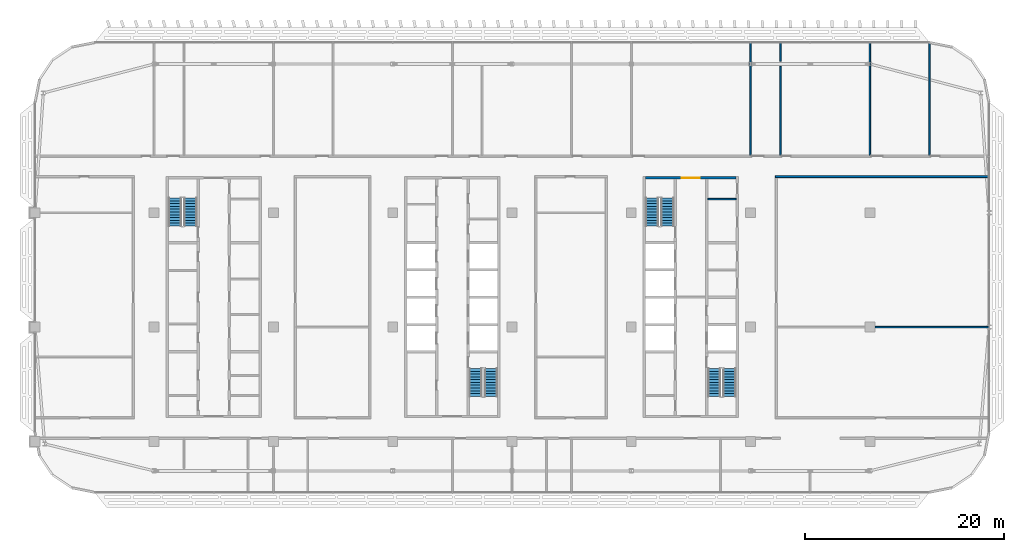
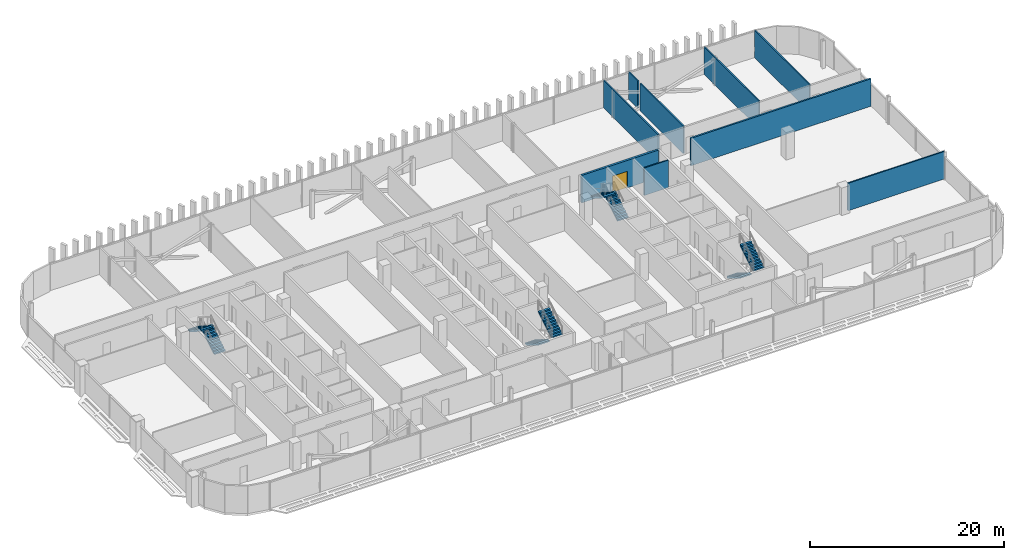
# One storey, part 22 of 32: 9 walls, 8 stair flights, 1 door, 1 opening, 4 elements without a shape of their own.
"""IFC4 building model written with IfcOpenShell, lengths in metres."""

from ifc_helpers import new_model, si_unit, direction, frame, frame_2d, origin, place, context, subcontext, project, spatial, polyline, rectangle, outline, extrude, material, layer, layer_set, type_object, element, fill, aggregate, save


model = new_model("IFC4")

# Units and contexts
model_context = context("Model", 3, precision=1e-05, world=origin(), true_north=direction((0.0, 1.0)))
body_context = subcontext(model_context, "Body", "Model", "MODEL_VIEW")
ifc_project = project(units=[si_unit("LENGTHUNIT", "METRE"), si_unit("AREAUNIT", "SQUARE_METRE"), si_unit("VOLUMEUNIT", "CUBIC_METRE"), si_unit("PLANEANGLEUNIT", "RADIAN"), si_unit("MASSUNIT", "GRAM", prefix="KILO")], contexts=[model_context])

# Site, building, storey
site_placement = place(None, origin())
site = spatial("IfcSite", under=ifc_project, at=site_placement, CompositionType="ELEMENT")
building_placement = place(site_placement, origin())
building = spatial("IfcBuilding", under=site, at=building_placement, Name="Mahtab Terrace Research Tower", CompositionType="ELEMENT")
storey_placement = place(building_placement, frame((0.0, 0.0, 232.39990234375)))
storey = spatial("IfcBuildingStorey", under=building, at=storey_placement, Name="L56", CompositionType="ELEMENT", Elevation=232.39990234375)

# Wall
ifc_material_1 = material(Name="Gypsum board partition")
ifc_layer_1 = layer(ifc_material_1, 0.14990234375)
ifc_layer_set_1 = layer_set([ifc_layer_1], Name="Core partition 150")
wall_type_1 = type_object("IfcWallType", Name="Core partition 150", PredefinedType="PARTITIONING", material=ifc_layer_set_1)
wall_1_placement = place(storey_placement, frame((25.699951171875, 12.875, 0.0), z_axis=(0.0, 0.0, 1.0), x_axis=(1.0, 0.0, 0.0)))
element("IfcWall", 1, at=wall_1_placement, inside=storey, type_object=wall_type_1, Name="Core wall C pEN988", PredefinedType="PARTITIONING", context=body_context, shape_type="SweptSolid", body=[
    extrude(rectangle(XDim=2.85009765625, YDim=0.14990234375, at=frame_2d((1.425048828125, 0.0))), origin(), (0.0, 0.0, 1.0), 3.460205078125),
])

# Wall, opening, door
ifc_material_2 = material(Name="Concrete C70/85", Category="concrete")
ifc_layer_2 = layer(ifc_material_2, 0.25)
ifc_layer_set_2 = layer_set([ifc_layer_2], Name="Core wall 250")
wall_type_2 = type_object("IfcWallType", Name="Core wall 250", PredefinedType="SOLIDWALL", material=ifc_layer_set_2)
wall_2_placement = place(storey_placement, frame((19.449951171875, 15.0, 0.0), z_axis=(0.0, 0.0, 1.0), x_axis=(1.0, 0.0, 0.0)))
wall_2 = element("IfcWall", 2, at=wall_2_placement, inside=storey, type_object=wall_type_2, Name="Core wall C endN", PredefinedType="SOLIDWALL", context=body_context, shape_type="SweptSolid", body=[
    extrude(rectangle(XDim=9.10009765625, YDim=0.25, at=frame_2d((4.550048828125, 0.0))), origin(), (0.0, 0.0, 1.0), 3.460205078125),
])
opening_placement = place(wall_2_placement, frame((3.64990234375, 0.0, 0.0)))
opening = element("IfcOpeningElement", 3, at=opening_placement, cuts=wall_2, Name="Opening C-N1", PredefinedType="OPENING", context=body_context, shape_type="SweptSolid", body=[
    extrude(rectangle(XDim=1.800048828125, YDim=2.10009765625, at=frame_2d((0.89990234375, 1.050048828125))), frame((0.0, 0.135009765625, 0.0), z_axis=(0.0, -1.0, 0.0), x_axis=(1.0, 0.0, 0.0)), (0.0, 0.0, 1.0), 0.27001953125),
])
ifc_material_3 = material(Name="Steel fire door", Category="steel")
door_type = type_object("IfcDoorType", Name="Lobby double door 1800x2100 1 HR", OperationType="DOUBLE_DOOR_SINGLE_SWING", PredefinedType="DOOR", material=ifc_material_3)
door_placement = place(opening_placement, origin())
door = element("IfcDoor", 4, at=door_placement, inside=storey, type_object=door_type, Name="Core entrance door C N", OperationType="DOUBLE_DOOR_SINGLE_SWING", OverallHeight=2.10009765625, OverallWidth=1.800048828125, PredefinedType="DOOR", context=body_context, shape_type="SweptSolid", body=[
    extrude(rectangle(XDim=1.800048828125, YDim=2.10009765625, at=frame_2d((0.89990234375, 1.050048828125))), frame((0.0, 0.02490234375, 0.0), z_axis=(0.0, -1.0, 0.0), x_axis=(1.0, 0.0, 0.0)), (0.0, 0.0, 1.0), 0.050048828125),
])
fill(opening, door)

# Walls
ifc_material_4 = material(Name="Gypsum board corridor wall on steel studs", Category="steel")
ifc_layer_3 = layer(ifc_material_4, 0.199951171875)
ifc_layer_set_3 = layer_set([ifc_layer_3], Name="WALL CORRIDOR 200")
wall_type_3 = type_object("IfcWallType", Name="WALL CORRIDOR 200", PredefinedType="PARTITIONING", material=ifc_layer_set_3)
wall_3_placement = place(storey_placement, frame((32.5, 15.125, 0.0), z_axis=(0.0, 0.0, 1.0), x_axis=(1.0, 0.0, 0.0)))
element("IfcWall", 5, at=wall_3_placement, inside=storey, type_object=wall_type_3, Name="L56-W024", PredefinedType="PARTITIONING", context=body_context, shape_type="SweptSolid", body=[
    extrude(rectangle(XDim=21.47509765625, YDim=0.199951171875, at=frame_2d((10.737548828125, 0.0))), origin(), (0.0, 0.0, 1.0), 3.460205078125),
])
ifc_material_5 = material(Name="Gypsum board partition on steel studs", Category="steel")
ifc_layer_4 = layer(ifc_material_5, 0.14990234375)
ifc_layer_set_4 = layer_set([ifc_layer_4], Name="WALL PARTITION 150")
wall_type_4 = type_object("IfcWallType", Name="WALL PARTITION 150", PredefinedType="PARTITIONING", material=ifc_layer_set_4)
wall_4_placement = place(storey_placement, frame((42.5, 0.0, 0.0), z_axis=(0.0, 0.0, 1.0), x_axis=(1.0, 0.0, 0.0)))
element("IfcWall", 6, at=wall_4_placement, inside=storey, type_object=wall_type_4, Name="L56-W018", PredefinedType="PARTITIONING", context=body_context, shape_type="SweptSolid", body=[
    extrude(rectangle(XDim=11.47509765625, YDim=0.14990234375, at=frame_2d((5.737548828125, 0.0))), origin(), (0.0, 0.0, 1.0), 3.460205078125),
])
wall_5_placement = place(storey_placement, frame((30.0, 17.300048828125, 0.0), z_axis=(0.0, 0.0, 1.0), x_axis=(0.0, 1.0, 0.0)))
element("IfcWall", 7, at=wall_5_placement, inside=storey, type_object=wall_type_4, Name="L56-W051", PredefinedType="PARTITIONING", context=body_context, shape_type="SweptSolid", body=[
    extrude(rectangle(XDim=11.31396484375, YDim=0.14990234375, at=frame_2d((5.656982421875, 0.0))), origin(), (0.0, 0.0, 1.0), 3.460205078125),
])
wall_6_placement = place(storey_placement, frame((33.0, 17.300048828125, 0.0), z_axis=(0.0, 0.0, 1.0), x_axis=(0.0, 1.0, 0.0)))
element("IfcWall", 8, at=wall_6_placement, inside=storey, type_object=wall_type_4, Name="L56-W053", PredefinedType="PARTITIONING", context=body_context, shape_type="SweptSolid", body=[
    extrude(rectangle(XDim=8.920654296875, YDim=0.14990234375, at=frame_2d((4.46044921875, 0.0))), origin(), (0.0, 0.0, 1.0), 3.460205078125),
])
wall_7_placement = place(storey_placement, frame((33.0, 26.725341796875, 0.0), z_axis=(0.0, 0.0, 1.0), x_axis=(0.0, 1.0, 0.0)))
element("IfcWall", 9, at=wall_7_placement, inside=storey, type_object=wall_type_4, Name="L56-W054", PredefinedType="PARTITIONING", context=body_context, shape_type="SweptSolid", body=[
    extrude(rectangle(XDim=1.888671875, YDim=0.14990234375, at=frame_2d((0.9443359375, 0.0))), origin(), (0.0, 0.0, 1.0), 3.460205078125),
])
for number, where, z_axis, x_axis, name in (
    (10, (42.0, 17.300048828125, 0.0), (0.0, 0.0, 1.0), (0.0, 1.0, 0.0), "L56-W056"),
    (11, (48.0, 17.300048828125, 0.0), (0.0, 0.0, 1.0), (0.0, 1.0, 0.0), "L56-W057"),
):
    element("IfcWall", number, at=place(storey_placement, frame(where, z_axis=z_axis, x_axis=x_axis)), inside=storey, type_object=wall_type_4, Name=name, PredefinedType="PARTITIONING", context=body_context, shape_type="SweptSolid", body=[
        extrude(rectangle(XDim=11.31396484375, YDim=0.14990234375, at=frame_2d((5.656982421875, 0.0))), origin(), (0.0, 0.0, 1.0), 3.460205078125),
    ])

# Stair, stair flights
ifc_material_6 = material(Name="Exit stair half-turn")
stair_type = type_object("IfcStairType", Name="Exit stair half-turn", PredefinedType="HALF_TURN_STAIR", material=ifc_material_6)
stair_1_placement = place(storey_placement, origin())
stair_1 = element("IfcStair", 12, at=stair_1_placement, inside=storey, type_object=stair_type, Name="L56 Protected exit stair ST1", PredefinedType="HALF_TURN_STAIR")
ifc_material_7 = material(Name="Concrete C40/50", Category="concrete")
stair_flight_type = type_object("IfcStairFlightType", Name="Exit stair flight 1300", PredefinedType="STRAIGHT", material=ifc_material_7)
stair_flight_1_placement = place(storey_placement, frame((-26.35009765625, 10.175048828125, 0.0), z_axis=(0.0, 0.0, 1.0), x_axis=(0.0, 1.0, 0.0)))
stair_flight_1 = element("IfcStairFlight", 13, at=stair_flight_1_placement, type_object=stair_flight_type, Name="ST1 flight 1", NumberOfRisers=11, NumberOfTreads=10, PredefinedType="STRAIGHT", RiserHeight=0.172727273, TreadLength=0.28, context=body_context, shape_type="SweptSolid", body=[
    extrude(outline(polyline([(0.0, 0.0), (0.0, 0.172607421875), (0.280029296875, 0.172607421875), (0.280029296875, 0.345458984375), (0.56005859375, 0.345458984375), (0.56005859375, 0.51806640625), (0.840087890625, 0.51806640625), (0.840087890625, 0.69091796875), (1.1201171875, 0.69091796875), (1.1201171875, 0.863525390625), (1.39990234375, 0.863525390625), (1.39990234375, 1.036376953125), (1.679931640625, 1.036376953125), (1.679931640625, 1.208984375), (1.9599609375, 1.208984375), (1.9599609375, 1.3818359375), (2.239990234375, 1.3818359375), (2.239990234375, 1.554443359375), (2.52001953125, 1.554443359375), (2.52001953125, 1.727294921875), (2.800048828125, 1.727294921875), (2.800048828125, 1.89990234375), (2.800048828125, 1.551025390625), (0.285400390625, 0.0), (0.0, 0.0)])), frame((0.0, 0.64990234375, 0.0), z_axis=(0.0, -1.0, 0.0), x_axis=(1.0, 0.0, 0.0)), (0.0, 0.0, 1.0), 1.300048828125),
])
stair_flight_2_placement = place(storey_placement, frame((-27.89990234375, 12.97509765625, 1.900146484375), z_axis=(0.0, 0.0, 1.0), x_axis=(0.0, -1.0, 0.0)))
stair_flight_2 = element("IfcStairFlight", 14, at=stair_flight_2_placement, type_object=stair_flight_type, Name="ST1 flight 2", NumberOfRisers=11, NumberOfTreads=10, PredefinedType="STRAIGHT", RiserHeight=0.172727273, TreadLength=0.28, context=body_context, shape_type="SweptSolid", body=[
    extrude(outline(polyline([(0.0, 0.0), (0.0, 0.172607421875), (0.280029296875, 0.172607421875), (0.280029296875, 0.345458984375), (0.56005859375, 0.345458984375), (0.56005859375, 0.51806640625), (0.840087890625, 0.51806640625), (0.840087890625, 0.69091796875), (1.1201171875, 0.69091796875), (1.1201171875, 0.863525390625), (1.39990234375, 0.863525390625), (1.39990234375, 1.036376953125), (1.679931640625, 1.036376953125), (1.679931640625, 1.208984375), (1.9599609375, 1.208984375), (1.9599609375, 1.3818359375), (2.239990234375, 1.3818359375), (2.239990234375, 1.554443359375), (2.52001953125, 1.554443359375), (2.52001953125, 1.727294921875), (2.800048828125, 1.727294921875), (2.800048828125, 1.89990234375), (2.800048828125, 1.551025390625), (0.285400390625, 0.0), (0.0, 0.0)])), frame((0.0, 0.64990234375, 0.0), z_axis=(0.0, -1.0, 0.0), x_axis=(1.0, 0.0, 0.0)), (0.0, 0.0, 1.0), 1.300048828125),
])
aggregate(stair_1, [stair_flight_1, stair_flight_2])

stair_2_placement = place(storey_placement, origin())
stair_2 = element("IfcStair", 15, at=stair_2_placement, inside=storey, type_object=stair_type, Name="L56 Protected exit stair ST2", PredefinedType="HALF_TURN_STAIR")
stair_flight_3_placement = place(storey_placement, frame((2.35009765625, -4.175048828125, 0.0), z_axis=(0.0, 0.0, 1.0), x_axis=(0.0, -1.0, 0.0)))
stair_flight_3 = element("IfcStairFlight", 16, at=stair_flight_3_placement, type_object=stair_flight_type, Name="ST2 flight 1", NumberOfRisers=11, NumberOfTreads=10, PredefinedType="STRAIGHT", RiserHeight=0.172727273, TreadLength=0.28, context=body_context, shape_type="SweptSolid", body=[
    extrude(outline(polyline([(0.0, 0.0), (0.0, 0.172607421875), (0.280029296875, 0.172607421875), (0.280029296875, 0.345458984375), (0.56005859375, 0.345458984375), (0.56005859375, 0.51806640625), (0.840087890625, 0.51806640625), (0.840087890625, 0.69091796875), (1.1201171875, 0.69091796875), (1.1201171875, 0.863525390625), (1.39990234375, 0.863525390625), (1.39990234375, 1.036376953125), (1.679931640625, 1.036376953125), (1.679931640625, 1.208984375), (1.9599609375, 1.208984375), (1.9599609375, 1.3818359375), (2.239990234375, 1.3818359375), (2.239990234375, 1.554443359375), (2.52001953125, 1.554443359375), (2.52001953125, 1.727294921875), (2.800048828125, 1.727294921875), (2.800048828125, 1.89990234375), (2.800048828125, 1.551025390625), (0.285400390625, 0.0), (0.0, 0.0)])), frame((0.0, 0.64990234375, 0.0), z_axis=(0.0, -1.0, 0.0), x_axis=(1.0, 0.0, 0.0)), (0.0, 0.0, 1.0), 1.300048828125),
])
stair_flight_4_placement = place(storey_placement, frame((3.89990234375, -6.97509765625, 1.900146484375), z_axis=(0.0, 0.0, 1.0), x_axis=(0.0, 1.0, 0.0)))
stair_flight_4 = element("IfcStairFlight", 17, at=stair_flight_4_placement, type_object=stair_flight_type, Name="ST2 flight 2", NumberOfRisers=11, NumberOfTreads=10, PredefinedType="STRAIGHT", RiserHeight=0.172727273, TreadLength=0.28, context=body_context, shape_type="SweptSolid", body=[
    extrude(outline(polyline([(0.0, 0.0), (0.0, 0.172607421875), (0.280029296875, 0.172607421875), (0.280029296875, 0.345458984375), (0.56005859375, 0.345458984375), (0.56005859375, 0.51806640625), (0.840087890625, 0.51806640625), (0.840087890625, 0.69091796875), (1.1201171875, 0.69091796875), (1.1201171875, 0.863525390625), (1.39990234375, 0.863525390625), (1.39990234375, 1.036376953125), (1.679931640625, 1.036376953125), (1.679931640625, 1.208984375), (1.9599609375, 1.208984375), (1.9599609375, 1.3818359375), (2.239990234375, 1.3818359375), (2.239990234375, 1.554443359375), (2.52001953125, 1.554443359375), (2.52001953125, 1.727294921875), (2.800048828125, 1.727294921875), (2.800048828125, 1.89990234375), (2.800048828125, 1.551025390625), (0.285400390625, 0.0), (0.0, 0.0)])), frame((0.0, 0.64990234375, 0.0), z_axis=(0.0, -1.0, 0.0), x_axis=(1.0, 0.0, 0.0)), (0.0, 0.0, 1.0), 1.300048828125),
])
aggregate(stair_2, [stair_flight_3, stair_flight_4])

stair_3_placement = place(storey_placement, origin())
stair_3 = element("IfcStair", 18, at=stair_3_placement, inside=storey, type_object=stair_type, Name="L56 Protected exit stair ST3", PredefinedType="HALF_TURN_STAIR")
stair_flight_5_placement = place(storey_placement, frame((21.64990234375, 10.175048828125, 0.0), z_axis=(0.0, 0.0, 1.0), x_axis=(0.0, 1.0, 0.0)))
stair_flight_5 = element("IfcStairFlight", 19, at=stair_flight_5_placement, type_object=stair_flight_type, Name="ST3 flight 1", NumberOfRisers=11, NumberOfTreads=10, PredefinedType="STRAIGHT", RiserHeight=0.172727273, TreadLength=0.28, context=body_context, shape_type="SweptSolid", body=[
    extrude(outline(polyline([(0.0, 0.0), (0.0, 0.172607421875), (0.280029296875, 0.172607421875), (0.280029296875, 0.345458984375), (0.56005859375, 0.345458984375), (0.56005859375, 0.51806640625), (0.840087890625, 0.51806640625), (0.840087890625, 0.69091796875), (1.1201171875, 0.69091796875), (1.1201171875, 0.863525390625), (1.39990234375, 0.863525390625), (1.39990234375, 1.036376953125), (1.679931640625, 1.036376953125), (1.679931640625, 1.208984375), (1.9599609375, 1.208984375), (1.9599609375, 1.3818359375), (2.239990234375, 1.3818359375), (2.239990234375, 1.554443359375), (2.52001953125, 1.554443359375), (2.52001953125, 1.727294921875), (2.800048828125, 1.727294921875), (2.800048828125, 1.89990234375), (2.800048828125, 1.551025390625), (0.285400390625, 0.0), (0.0, 0.0)])), frame((0.0, 0.64990234375, 0.0), z_axis=(0.0, -1.0, 0.0), x_axis=(1.0, 0.0, 0.0)), (0.0, 0.0, 1.0), 1.300048828125),
])
stair_flight_6_placement = place(storey_placement, frame((20.10009765625, 12.97509765625, 1.900146484375), z_axis=(0.0, 0.0, 1.0), x_axis=(0.0, -1.0, 0.0)))
stair_flight_6 = element("IfcStairFlight", 20, at=stair_flight_6_placement, type_object=stair_flight_type, Name="ST3 flight 2", NumberOfRisers=11, NumberOfTreads=10, PredefinedType="STRAIGHT", RiserHeight=0.172727273, TreadLength=0.28, context=body_context, shape_type="SweptSolid", body=[
    extrude(outline(polyline([(0.0, 0.0), (0.0, 0.172607421875), (0.280029296875, 0.172607421875), (0.280029296875, 0.345458984375), (0.56005859375, 0.345458984375), (0.56005859375, 0.51806640625), (0.840087890625, 0.51806640625), (0.840087890625, 0.69091796875), (1.1201171875, 0.69091796875), (1.1201171875, 0.863525390625), (1.39990234375, 0.863525390625), (1.39990234375, 1.036376953125), (1.679931640625, 1.036376953125), (1.679931640625, 1.208984375), (1.9599609375, 1.208984375), (1.9599609375, 1.3818359375), (2.239990234375, 1.3818359375), (2.239990234375, 1.554443359375), (2.52001953125, 1.554443359375), (2.52001953125, 1.727294921875), (2.800048828125, 1.727294921875), (2.800048828125, 1.89990234375), (2.800048828125, 1.551025390625), (0.285400390625, 0.0), (0.0, 0.0)])), frame((0.0, 0.64990234375, 0.0), z_axis=(0.0, -1.0, 0.0), x_axis=(1.0, 0.0, 0.0)), (0.0, 0.0, 1.0), 1.300048828125),
])
aggregate(stair_3, [stair_flight_5, stair_flight_6])

stair_4_placement = place(storey_placement, origin())
stair_4 = element("IfcStair", 21, at=stair_4_placement, inside=storey, type_object=stair_type, Name="L56 Protected exit stair ST4", PredefinedType="HALF_TURN_STAIR")
stair_flight_7_placement = place(storey_placement, frame((26.35009765625, -4.175048828125, 0.0), z_axis=(0.0, 0.0, 1.0), x_axis=(0.0, -1.0, 0.0)))
stair_flight_7 = element("IfcStairFlight", 22, at=stair_flight_7_placement, type_object=stair_flight_type, Name="ST4 flight 1", NumberOfRisers=11, NumberOfTreads=10, PredefinedType="STRAIGHT", RiserHeight=0.172727273, TreadLength=0.28, context=body_context, shape_type="SweptSolid", body=[
    extrude(outline(polyline([(0.0, 0.0), (0.0, 0.172607421875), (0.280029296875, 0.172607421875), (0.280029296875, 0.345458984375), (0.56005859375, 0.345458984375), (0.56005859375, 0.51806640625), (0.840087890625, 0.51806640625), (0.840087890625, 0.69091796875), (1.1201171875, 0.69091796875), (1.1201171875, 0.863525390625), (1.39990234375, 0.863525390625), (1.39990234375, 1.036376953125), (1.679931640625, 1.036376953125), (1.679931640625, 1.208984375), (1.9599609375, 1.208984375), (1.9599609375, 1.3818359375), (2.239990234375, 1.3818359375), (2.239990234375, 1.554443359375), (2.52001953125, 1.554443359375), (2.52001953125, 1.727294921875), (2.800048828125, 1.727294921875), (2.800048828125, 1.89990234375), (2.800048828125, 1.551025390625), (0.285400390625, 0.0), (0.0, 0.0)])), frame((0.0, 0.64990234375, 0.0), z_axis=(0.0, -1.0, 0.0), x_axis=(1.0, 0.0, 0.0)), (0.0, 0.0, 1.0), 1.300048828125),
])
stair_flight_8_placement = place(storey_placement, frame((27.89990234375, -6.97509765625, 1.900146484375), z_axis=(0.0, 0.0, 1.0), x_axis=(0.0, 1.0, 0.0)))
stair_flight_8 = element("IfcStairFlight", 23, at=stair_flight_8_placement, type_object=stair_flight_type, Name="ST4 flight 2", NumberOfRisers=11, NumberOfTreads=10, PredefinedType="STRAIGHT", RiserHeight=0.172727273, TreadLength=0.28, context=body_context, shape_type="SweptSolid", body=[
    extrude(outline(polyline([(0.0, 0.0), (0.0, 0.172607421875), (0.280029296875, 0.172607421875), (0.280029296875, 0.345458984375), (0.56005859375, 0.345458984375), (0.56005859375, 0.51806640625), (0.840087890625, 0.51806640625), (0.840087890625, 0.69091796875), (1.1201171875, 0.69091796875), (1.1201171875, 0.863525390625), (1.39990234375, 0.863525390625), (1.39990234375, 1.036376953125), (1.679931640625, 1.036376953125), (1.679931640625, 1.208984375), (1.9599609375, 1.208984375), (1.9599609375, 1.3818359375), (2.239990234375, 1.3818359375), (2.239990234375, 1.554443359375), (2.52001953125, 1.554443359375), (2.52001953125, 1.727294921875), (2.800048828125, 1.727294921875), (2.800048828125, 1.89990234375), (2.800048828125, 1.551025390625), (0.285400390625, 0.0), (0.0, 0.0)])), frame((0.0, 0.64990234375, 0.0), z_axis=(0.0, -1.0, 0.0), x_axis=(1.0, 0.0, 0.0)), (0.0, 0.0, 1.0), 1.300048828125),
])
aggregate(stair_4, [stair_flight_7, stair_flight_8])

save(model, "model.ifc")
